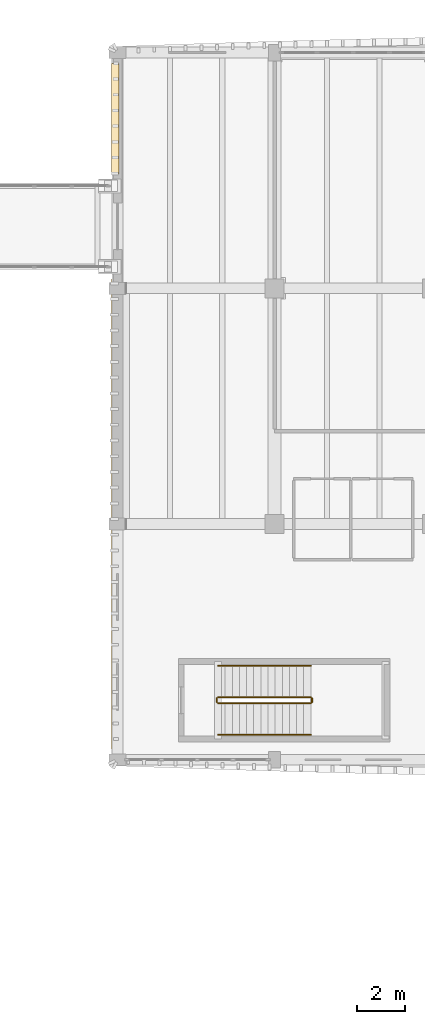
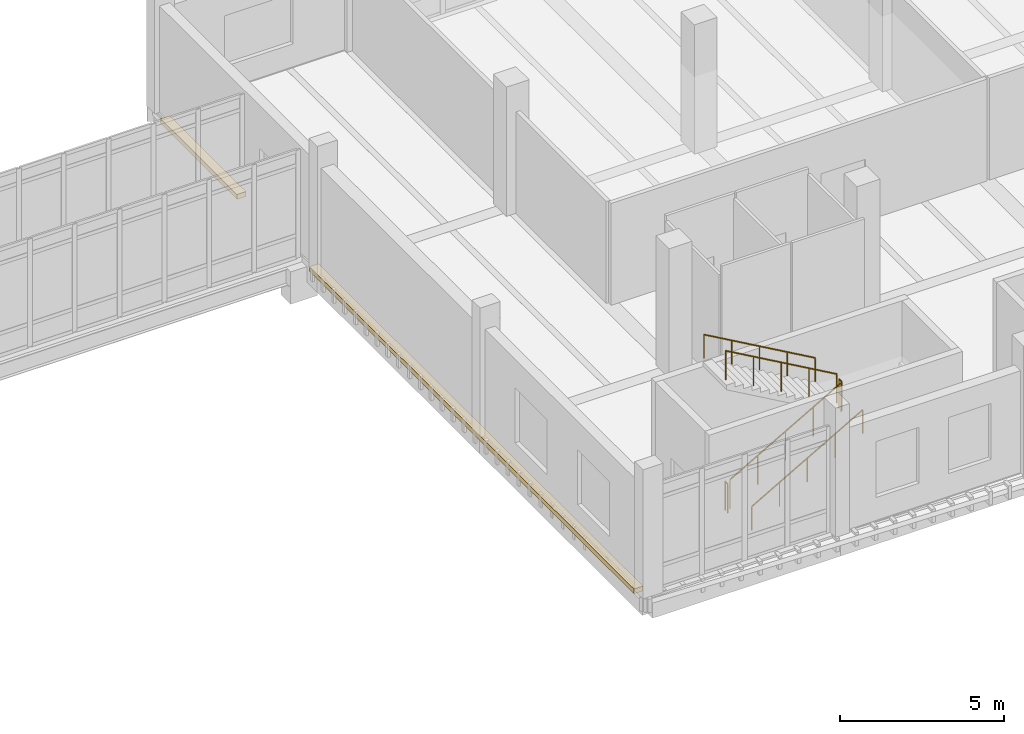
# One storey, part 113 of 125: 6 railings, 2 coverings.
"""IFC4 building model written with IfcOpenShell, lengths in metres."""

from ifc_helpers import new_model, si_unit, direction, frame, origin, origin_2d, place, context, subcontext, project, spatial, polyline, circle, outline, extrude, material, layer, layer_set, type_object, element, save


model = new_model("IFC4")

# Units and contexts
model_context = context("Model", 3, precision=1e-05, world=origin(), true_north=direction((0.0, 1.0)))
body_context = subcontext(model_context, "Body", "Model", "MODEL_VIEW")
ifc_project = project(units=[si_unit("LENGTHUNIT", "METRE"), si_unit("AREAUNIT", "SQUARE_METRE"), si_unit("VOLUMEUNIT", "CUBIC_METRE"), si_unit("PLANEANGLEUNIT", "RADIAN"), si_unit("MASSUNIT", "GRAM", prefix="KILO")], contexts=[model_context])

# Site, building, storey
site_placement = place(None, origin())
site = spatial("IfcSite", under=ifc_project, at=site_placement, CompositionType="ELEMENT")
building_placement = place(site_placement, origin())
building = spatial("IfcBuilding", under=site, at=building_placement, Name="Dornvale Research Institute", CompositionType="ELEMENT")
storey_placement = place(building_placement, frame((0.0, 0.0, 5.39990234375)))
storey = spatial("IfcBuildingStorey", under=building, at=storey_placement, Name="L01", CompositionType="ELEMENT", Elevation=5.39990234375)

# Coverings
ifc_material_1 = material(Name="Polychrome Glazed Terracotta Visor Rib Ceramic", Category="masonry")
ifc_layer_1 = layer(ifc_material_1, 0.179931640625)
ifc_layer_set_1 = layer_set([ifc_layer_1], Name="Polychrome Glazed Terracotta Visor Rib Ceramic")
covering_type = type_object("IfcCoveringType", Name="Covering_VisorBrim_LowShelf", PredefinedType="CLADDING", material=ifc_layer_set_1)
covering_1_placement = place(storey_placement, frame((0.0, 0.0, -0.260009765625)))
element("IfcCovering", 1, at=covering_1_placement, inside=storey, type_object=covering_type, Name="L01 V4 canted bowed-brim visor hood #43", PredefinedType="CLADDING", context=body_context, shape_type="SweptSolid", body=[
    extrude(outline(polyline([(118.860107421875, 117.0), (118.540771484375, 117.0), (118.540771484375, 121.64990234375), (118.860107421875, 121.64990234375), (118.860107421875, 117.0)])), origin(), (0.0, 0.0, 1.0), 0.18017578125),
])
covering_2_placement = place(storey_placement, frame((0.0, 0.0, -0.260009765625)))
element("IfcCovering", 2, at=covering_2_placement, inside=storey, type_object=covering_type, Name="L01 V4 canted bowed-brim visor hood #44", PredefinedType="CLADDING", context=body_context, shape_type="SweptSolid", body=[
    extrude(outline(polyline([(118.540771484375, 112.60009765625), (118.860107421875, 112.60009765625), (118.860107421875, 92.85009765625), (118.540771484375, 92.85009765625), (118.540771484375, 112.60009765625)])), origin(), (0.0, 0.0, 1.0), 0.18017578125),
])

# Railings
ifc_material_2 = material(Name="Galvanized Painted Tubular Steel Stair Rail", Category="steel")
ifc_layer_2 = layer(ifc_material_2, 0.050048828125)
ifc_layer_set_2 = layer_set([ifc_layer_2], Name="Galvanized Painted Tubular Steel Stair Rail")
railing_type_1 = type_object("IfcRailingType", Name="Railing_Stair_Guard_1100", PredefinedType="GUARDRAIL", material=ifc_layer_set_2)
railing_1_placement = place(storey_placement, frame((123.02001953125, 94.77001953125, 0.171630859375)))
element("IfcRailing", 3, at=railing_1_placement, inside=storey, type_object=railing_type_1, Name="L01 ST-3 stair guard 1", PredefinedType="GUARDRAIL", context=body_context, shape_type="SweptSolid", body=[
    extrude(circle(Radius=0.02392578125, at=origin_2d()), frame((0.0, 0.0, 1.076171875), z_axis=(0.868243142124, 0.0, 0.496138938357), x_axis=(0.0, 1.0, 0.0)), (0.0, 0.0, 1.0), 4.49169921875),
    extrude(circle(Radius=0.02099609375, at=origin_2d()), origin(), (0.0, 0.0, 1.0), 1.052001953125),
    extrude(circle(Radius=0.02099609375, at=origin_2d()), frame((0.97509765625, 0.0, 0.55712890625)), (0.0, 0.0, 1.0), 1.052001953125),
    extrude(circle(Radius=0.02099609375, at=origin_2d()), frame((1.949951171875, 0.0, 1.1142578125)), (0.0, 0.0, 1.0), 1.052001953125),
    extrude(circle(Radius=0.02099609375, at=origin_2d()), frame((2.9248046875, 0.0, 1.67138671875)), (0.0, 0.0, 1.0), 1.052001953125),
    extrude(circle(Radius=0.02099609375, at=origin_2d()), frame((3.89990234375, 0.0, 2.228515625)), (0.0, 0.0, 1.0), 1.052001953125),
])
railing_2_placement = place(storey_placement, frame((126.969970703125, 94.820068359375, 2.400146484375)))
element("IfcRailing", 4, at=railing_2_placement, inside=storey, type_object=railing_type_1, Name="L01 ST-3 stair guard 2", PredefinedType="GUARDRAIL", context=body_context, shape_type="SweptSolid", body=[
    extrude(circle(Radius=0.02392578125, at=origin_2d()), frame((0.0, 0.0, 1.076171875), z_axis=(0.0, 1.0, 0.0), x_axis=(-1.0, 0.0, 0.0)), (0.0, 0.0, 1.0), 0.159912109375),
    extrude(circle(Radius=0.02099609375, at=origin_2d()), origin(), (0.0, 0.0, 1.0), 1.052001953125),
    extrude(circle(Radius=0.02099609375, at=origin_2d()), frame((0.0, 0.159912109375, 0.0)), (0.0, 0.0, 1.0), 1.052001953125),
])
railing_3_placement = place(storey_placement, frame((126.919921875, 95.030029296875, 2.571533203125)))
element("IfcRailing", 5, at=railing_3_placement, inside=storey, type_object=railing_type_1, Name="L01 ST-3 stair guard 3", PredefinedType="GUARDRAIL", context=body_context, shape_type="SweptSolid", body=[
    extrude(circle(Radius=0.02392578125, at=origin_2d()), frame((0.0, 0.0, 1.076171875), z_axis=(-0.868243142124, 0.0, 0.496138938357), x_axis=(0.0, -1.0, 0.0)), (0.0, 0.0, 1.0), 4.49169921875),
    extrude(circle(Radius=0.02099609375, at=origin_2d()), origin(), (0.0, 0.0, 1.0), 1.052001953125),
    extrude(circle(Radius=0.02099609375, at=origin_2d()), frame((-0.97509765625, 0.0, 0.55712890625)), (0.0, 0.0, 1.0), 1.052001953125),
    extrude(circle(Radius=0.02099609375, at=origin_2d()), frame((-1.949951171875, 0.0, 1.1142578125)), (0.0, 0.0, 1.0), 1.052001953125),
    extrude(circle(Radius=0.02099609375, at=origin_2d()), frame((-2.9248046875, 0.0, 1.67138671875)), (0.0, 0.0, 1.0), 1.052001953125),
    extrude(circle(Radius=0.02099609375, at=origin_2d()), frame((-3.89990234375, 0.0, 2.228515625)), (0.0, 0.0, 1.0), 1.052001953125),
])
railing_4_placement = place(storey_placement, frame((122.969970703125, 94.820068359375, 0.0)))
element("IfcRailing", 6, at=railing_4_placement, inside=storey, type_object=railing_type_1, Name="L01 ST-3 stair guard 4", PredefinedType="GUARDRAIL", context=body_context, shape_type="SweptSolid", body=[
    extrude(circle(Radius=0.02392578125, at=origin_2d()), frame((0.0, 0.0, 1.076171875), z_axis=(0.0, 1.0, 0.0), x_axis=(-1.0, 0.0, 0.0)), (0.0, 0.0, 1.0), 0.159912109375),
    extrude(circle(Radius=0.02099609375, at=origin_2d()), origin(), (0.0, 0.0, 1.0), 1.052001953125),
    extrude(circle(Radius=0.02099609375, at=origin_2d()), frame((0.0, 0.159912109375, 0.0)), (0.0, 0.0, 1.0), 1.052001953125),
])
ifc_material_3 = material(Name="Galvanized Painted Tubular Steel Stair Rail", Category="steel")
ifc_layer_3 = layer(ifc_material_3, 0.044921875)
ifc_layer_set_3 = layer_set([ifc_layer_3], Name="Galvanized Painted Tubular Steel Stair Rail")
railing_type_2 = type_object("IfcRailingType", Name="Railing_Stair_Handrail_900", PredefinedType="HANDRAIL", material=ifc_layer_set_3)
railing_5_placement = place(storey_placement, frame((123.02001953125, 93.449951171875, 0.171630859375)))
element("IfcRailing", 7, at=railing_5_placement, inside=storey, type_object=railing_type_2, Name="L01 ST-3 stair handrail 1", PredefinedType="HANDRAIL", context=body_context, shape_type="SweptSolid", body=[
    extrude(circle(Radius=0.02392578125, at=origin_2d()), frame((0.0, 0.0, 0.8759765625), z_axis=(0.868243142124, 0.0, 0.496138938357), x_axis=(0.0, 1.0, 0.0)), (0.0, 0.0, 1.0), 4.49169921875),
    extrude(circle(Radius=0.02099609375, at=origin_2d()), origin(), (0.0, 0.0, 1.0), 0.851806640625),
    extrude(circle(Radius=0.02099609375, at=origin_2d()), frame((0.97509765625, 0.0, 0.55712890625)), (0.0, 0.0, 1.0), 0.851806640625),
    extrude(circle(Radius=0.02099609375, at=origin_2d()), frame((1.949951171875, 0.0, 1.1142578125)), (0.0, 0.0, 1.0), 0.851806640625),
    extrude(circle(Radius=0.02099609375, at=origin_2d()), frame((2.9248046875, 0.0, 1.67138671875)), (0.0, 0.0, 1.0), 0.851806640625),
    extrude(circle(Radius=0.02099609375, at=origin_2d()), frame((3.89990234375, 0.0, 2.228515625)), (0.0, 0.0, 1.0), 0.851806640625),
])
railing_6_placement = place(storey_placement, frame((126.919921875, 96.35009765625, 2.571533203125)))
element("IfcRailing", 8, at=railing_6_placement, inside=storey, type_object=railing_type_2, Name="L01 ST-3 stair handrail 2", PredefinedType="HANDRAIL", context=body_context, shape_type="SweptSolid", body=[
    extrude(circle(Radius=0.02392578125, at=origin_2d()), frame((0.0, 0.0, 0.8759765625), z_axis=(-0.868243142124, 0.0, 0.496138938357), x_axis=(0.0, -1.0, 0.0)), (0.0, 0.0, 1.0), 4.49169921875),
    extrude(circle(Radius=0.02099609375, at=origin_2d()), origin(), (0.0, 0.0, 1.0), 0.851806640625),
    extrude(circle(Radius=0.02099609375, at=origin_2d()), frame((-0.97509765625, 0.0, 0.55712890625)), (0.0, 0.0, 1.0), 0.851806640625),
    extrude(circle(Radius=0.02099609375, at=origin_2d()), frame((-1.949951171875, 0.0, 1.1142578125)), (0.0, 0.0, 1.0), 0.851806640625),
    extrude(circle(Radius=0.02099609375, at=origin_2d()), frame((-2.9248046875, 0.0, 1.67138671875)), (0.0, 0.0, 1.0), 0.851806640625),
    extrude(circle(Radius=0.02099609375, at=origin_2d()), frame((-3.89990234375, 0.0, 2.228515625)), (0.0, 0.0, 1.0), 0.851806640625),
])

save(model, "model.ifc")
